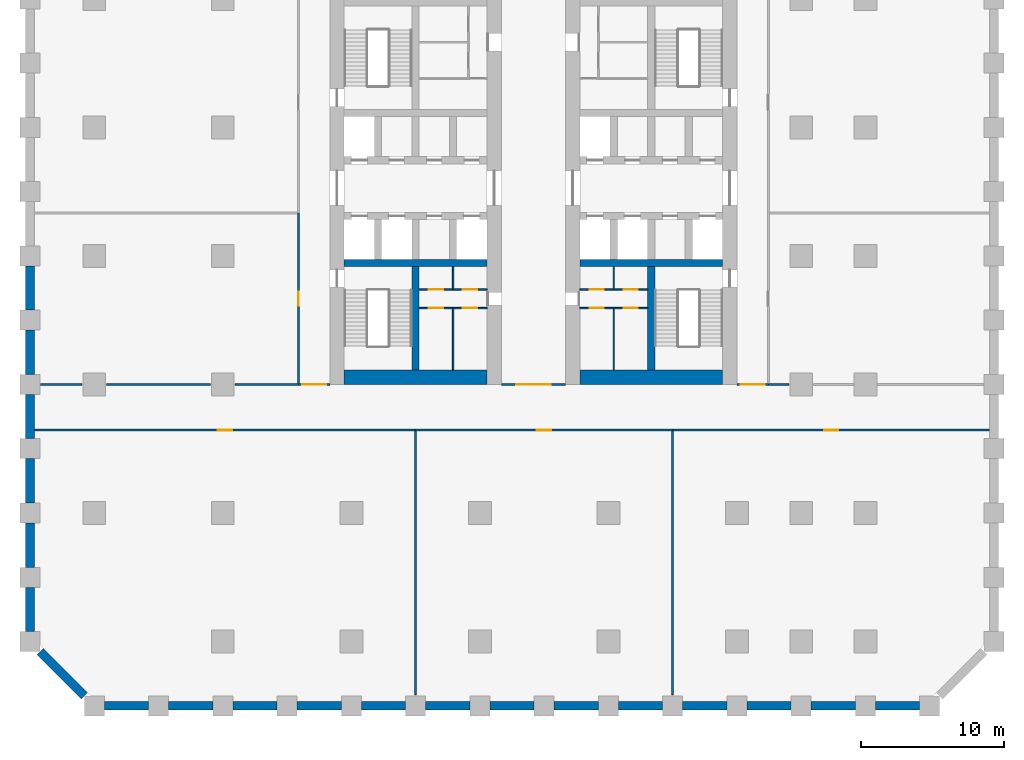
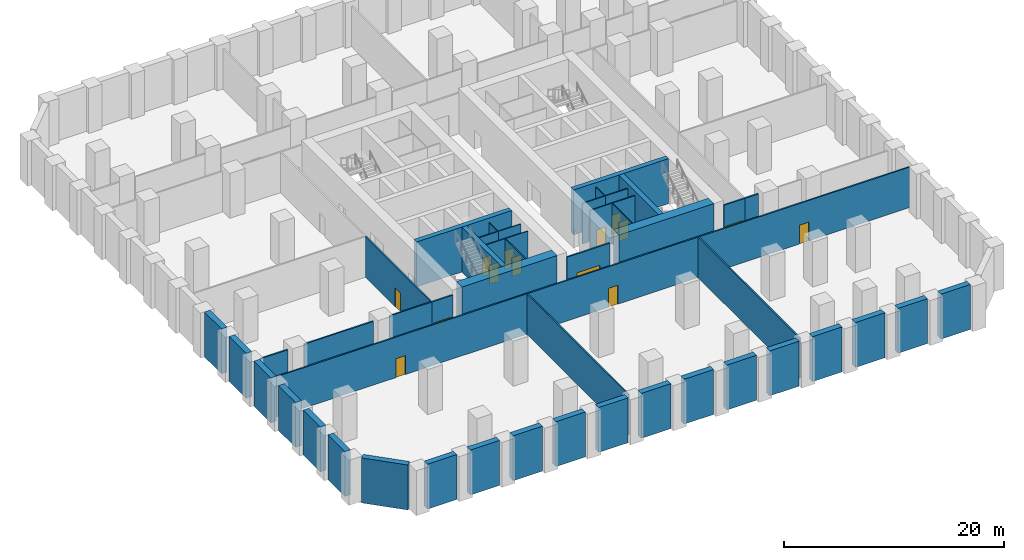
# One storey, part 2 of 7: 51 walls, 15 doors, 15 openings.
"""IFC4 building model written with IfcOpenShell, lengths in metres."""

from ifc_helpers import new_model, si_unit, direction, frame, frame_2d, origin, place, context, subcontext, project, spatial, rectangle, extrude, material, layer, layer_set, type_object, element, fill, save


model = new_model("IFC4")

# Units and contexts
model_context = context("Model", 3, precision=1e-05, world=origin(), true_north=direction((0.0, 1.0)))
body_context = subcontext(model_context, "Body", "Model", "MODEL_VIEW")
ifc_project = project(units=[si_unit("LENGTHUNIT", "METRE"), si_unit("AREAUNIT", "SQUARE_METRE"), si_unit("VOLUMEUNIT", "CUBIC_METRE"), si_unit("PLANEANGLEUNIT", "RADIAN"), si_unit("MASSUNIT", "GRAM", prefix="KILO")], contexts=[model_context])

# Site, building, storey
site_placement = place(None, origin())
site = spatial("IfcSite", under=ifc_project, at=site_placement, CompositionType="ELEMENT")
building_placement = place(site_placement, origin())
building = spatial("IfcBuilding", under=site, at=building_placement, Name="Corbel Stack Research Tower", CompositionType="ELEMENT")
storey_placement = place(building_placement, frame((0.0, 0.0, -5.0)))
storey = spatial("IfcBuildingStorey", under=building, at=storey_placement, Name="B1", CompositionType="ELEMENT", Elevation=-5.0)

# Walls
ifc_material_1 = material(Name="Concrete C45/55", Category="concrete")
ifc_layer_1 = layer(ifc_material_1, 0.60009765625)
ifc_layer_set_1 = layer_set([ifc_layer_1], Name="Concrete C45/55")
wall_type_1 = type_object("IfcWallType", Name="BW-600", PredefinedType="SOLIDWALL", material=ifc_layer_set_1)
for number, where, z_axis, x_axis, name in (
    (1, (-26.300048828125, -31.5, 0.0), (0.0, 0.0, 1.0), (1.0, 0.0, 0.0), "Basement wall B1"),
    (2, (-21.800048828125, -31.5, 0.0), (0.0, 0.0, 1.0), (1.0, 0.0, 0.0), "Basement wall B1"),
    (3, (-17.300048828125, -31.5, 0.0), (0.0, 0.0, 1.0), (1.0, 0.0, 0.0), "Basement wall B1"),
    (4, (-12.800048828125, -31.5, 0.0), (0.0, 0.0, 1.0), (1.0, 0.0, 0.0), "Basement wall B1"),
    (5, (-8.300048828125, -31.5, 0.0), (0.0, 0.0, 1.0), (1.0, 0.0, 0.0), "Basement wall B1"),
    (6, (-3.800048828125, -31.5, 0.0), (0.0, 0.0, 1.0), (1.0, 0.0, 0.0), "Basement wall B1"),
    (7, (0.699951171875, -31.5, 0.0), (0.0, 0.0, 1.0), (1.0, 0.0, 0.0), "Basement wall B1"),
    (8, (5.199951171875, -31.5, 0.0), (0.0, 0.0, 1.0), (1.0, 0.0, 0.0), "Basement wall B1"),
    (9, (9.699951171875, -31.5, 0.0), (0.0, 0.0, 1.0), (1.0, 0.0, 0.0), "Basement wall B1"),
    (10, (14.199951171875, -31.5, 0.0), (0.0, 0.0, 1.0), (1.0, 0.0, 0.0), "Basement wall B1"),
    (11, (18.699951171875, -31.5, 0.0), (0.0, 0.0, 1.0), (1.0, 0.0, 0.0), "Basement wall B1"),
    (12, (23.199951171875, -31.5, 0.0), (0.0, 0.0, 1.0), (1.0, 0.0, 0.0), "Basement wall B1"),
    (13, (27.699951171875, -31.5, 0.0), (0.0, 0.0, 1.0), (1.0, 0.0, 0.0), "Basement wall B1"),
    (14, (-31.5, -0.699951171875, 0.0), (0.0, 0.0, 1.0), (0.0, -1.0, 0.0), "Basement wall B1"),
    (15, (-31.5, -5.199951171875, 0.0), (0.0, 0.0, 1.0), (0.0, -1.0, 0.0), "Basement wall B1"),
    (16, (-31.5, -9.699951171875, 0.0), (0.0, 0.0, 1.0), (0.0, -1.0, 0.0), "Basement wall B1"),
    (17, (-31.5, -14.199951171875, 0.0), (0.0, 0.0, 1.0), (0.0, -1.0, 0.0), "Basement wall B1"),
    (18, (-31.5, -18.699951171875, 0.0), (0.0, 0.0, 1.0), (0.0, -1.0, 0.0), "Basement wall B1"),
    (19, (-31.5, -23.199951171875, 0.0), (0.0, 0.0, 1.0), (0.0, -1.0, 0.0), "Basement wall B1"),
):
    element("IfcWall", number, at=place(storey_placement, frame(where, z_axis=z_axis, x_axis=x_axis)), inside=storey, type_object=wall_type_1, Name=name, PredefinedType="SOLIDWALL", context=body_context, shape_type="SweptSolid", body=[
        extrude(rectangle(XDim=3.10009765625, YDim=0.60009765625, at=frame_2d((1.550048828125, 0.0))), origin(), (0.0, 0.0, 1.0), 5.0),
    ])
wall_1_placement = place(storey_placement, frame((-30.800048828125, -27.699951171875, 0.0), z_axis=(0.0, 0.0, 1.0), x_axis=(0.707106781187, -0.707106781187, 0.0)))
element("IfcWall", 20, at=wall_1_placement, inside=storey, type_object=wall_type_1, Name="Basement wall B1", PredefinedType="SOLIDWALL", context=body_context, shape_type="SweptSolid", body=[
    extrude(rectangle(XDim=4.38427734375, YDim=0.60009765625, at=frame_2d((2.192138671875, 0.0))), origin(), (0.0, 0.0, 1.0), 5.0),
])

# Wall, opening, door
ifc_material_2 = material(Name="Concrete block", Category="concrete")
ifc_layer_2 = layer(ifc_material_2, 0.14990234375)
ifc_layer_set_2 = layer_set([ifc_layer_2], Name="Concrete block")
wall_type_2 = type_object("IfcWallType", Name="Base partition 150 B1", PredefinedType="PARTITIONING", material=ifc_layer_set_2)
wall_2_placement = place(storey_placement, frame((-12.699951171875, -9.0, 0.0), z_axis=(0.0, 0.0, 1.0), x_axis=(1.0, 0.0, 0.0)))
wall_2 = element("IfcWall", 21, at=wall_2_placement, inside=storey, type_object=wall_type_2, Name="Partition B1", PredefinedType="PARTITIONING", context=body_context, shape_type="SweptSolid", body=[
    extrude(rectangle(XDim=2.199951171875, YDim=0.14990234375, at=frame_2d((1.10009765625, 0.0))), origin(), (0.0, 0.0, 1.0), 4.5),
])
opening_1_placement = place(wall_2_placement, frame((0.25, 0.0, 0.0)))
opening_1 = element("IfcOpeningElement", 22, at=opening_1_placement, cuts=wall_2, Name="Opening BD-B1-12", PredefinedType="OPENING", context=body_context, shape_type="SweptSolid", body=[
    extrude(rectangle(XDim=1.699951171875, YDim=2.10009765625, at=frame_2d((0.85009765625, 1.050048828125))), frame((0.0, 0.0849609375, 0.0), z_axis=(0.0, -1.0, 0.0), x_axis=(1.0, 0.0, 0.0)), (0.0, 0.0, 1.0), 0.169921875),
])
ifc_material_3 = material(Name="Painted steel fire door", Category="steel")
door_type_1 = type_object("IfcDoorType", Name="Lobby door pair 1700 x 2100 FD30S", OperationType="DOUBLE_DOOR_DOUBLE_SWING", PredefinedType="DOOR", material=ifc_material_3)
door_1_placement = place(opening_1_placement, origin())
door_1 = element("IfcDoor", 23, at=door_1_placement, inside=storey, type_object=door_type_1, Name="Stair vestibule west to Plant corridor south opening", OperationType="DOUBLE_DOOR_DOUBLE_SWING", OverallHeight=2.10009765625, OverallWidth=1.699951171875, PredefinedType="DOOR", context=body_context, shape_type="SweptSolid", body=[
    extrude(rectangle(XDim=1.699951171875, YDim=2.10009765625, at=frame_2d((0.85009765625, 1.050048828125))), frame((0.0, 0.02490234375, 0.0), z_axis=(0.0, -1.0, 0.0), x_axis=(1.0, 0.0, 0.0)), (0.0, 0.0, 1.0), 0.050048828125),
])
fill(opening_1, door_1)

wall_3_placement = place(storey_placement, frame((-12.699951171875, -9.0, 0.0), z_axis=(0.0, 0.0, 1.0), x_axis=(0.0, 1.0, 0.0)))
wall_3 = element("IfcWall", 24, at=wall_3_placement, inside=storey, type_object=wall_type_2, Name="Partition B1", PredefinedType="PARTITIONING", context=body_context, shape_type="SweptSolid", body=[
    extrude(rectangle(XDim=12.0, YDim=0.14990234375, at=frame_2d((6.0, 0.0))), origin(), (0.0, 0.0, 1.0), 4.5),
])
opening_2_placement = place(wall_3_placement, frame((5.5, 0.0, 0.0)))
opening_2 = element("IfcOpeningElement", 25, at=opening_2_placement, cuts=wall_3, Name="Opening BD-B1-04", PredefinedType="OPENING", context=body_context, shape_type="SweptSolid", body=[
    extrude(rectangle(XDim=1.0, YDim=2.10009765625, at=frame_2d((0.5, 1.050048828125))), frame((0.0, 0.0849609375, 0.0), z_axis=(0.0, -1.0, 0.0), x_axis=(1.0, 0.0, 0.0)), (0.0, 0.0, 1.0), 0.169921875),
])
ifc_material_4 = material(Name="Painted timber door", Category="wood")
door_type_2 = type_object("IfcDoorType", Name="WC door 1000 x 2100 right hand", OperationType="SINGLE_SWING_RIGHT", PredefinedType="DOOR", material=ifc_material_4)
door_2_placement = place(opening_2_placement, origin())
door_2 = element("IfcDoor", 26, at=door_2_placement, inside=storey, type_object=door_type_2, Name="Lockers and changing rooms door", OperationType="SINGLE_SWING_RIGHT", OverallHeight=2.10009765625, OverallWidth=1.0, PredefinedType="DOOR", context=body_context, shape_type="SweptSolid", body=[
    extrude(rectangle(XDim=1.0, YDim=2.10009765625, at=frame_2d((0.5, 1.050048828125))), frame((0.0, 0.02490234375, 0.0), z_axis=(0.0, -1.0, 0.0), x_axis=(1.0, 0.0, 0.0)), (0.0, 0.0, 1.0), 0.050048828125),
])
fill(opening_2, door_2)

wall_4_placement = place(storey_placement, frame((18.0, -9.0, 0.0), z_axis=(0.0, 0.0, 1.0), x_axis=(1.0, 0.0, 0.0)))
wall_4 = element("IfcWall", 27, at=wall_4_placement, inside=storey, type_object=wall_type_2, Name="Partition B1", PredefinedType="PARTITIONING", context=body_context, shape_type="SweptSolid", body=[
    extrude(rectangle(XDim=2.199951171875, YDim=0.14990234375, at=frame_2d((1.10009765625, 0.0))), origin(), (0.0, 0.0, 1.0), 4.5),
])
opening_3_placement = place(wall_4_placement, frame((0.25, 0.0, 0.0)))
opening_3 = element("IfcOpeningElement", 28, at=opening_3_placement, cuts=wall_4, Name="Opening BD-B1-14", PredefinedType="OPENING", context=body_context, shape_type="SweptSolid", body=[
    extrude(rectangle(XDim=1.699951171875, YDim=2.10009765625, at=frame_2d((0.85009765625, 1.050048828125))), frame((0.0, 0.0849609375, 0.0), z_axis=(0.0, -1.0, 0.0), x_axis=(1.0, 0.0, 0.0)), (0.0, 0.0, 1.0), 0.169921875),
])
door_3_placement = place(opening_3_placement, origin())
door_3 = element("IfcDoor", 29, at=door_3_placement, inside=storey, type_object=door_type_1, Name="Stair vestibule east to Plant corridor south opening", OperationType="DOUBLE_DOOR_DOUBLE_SWING", OverallHeight=2.10009765625, OverallWidth=1.699951171875, PredefinedType="DOOR", context=body_context, shape_type="SweptSolid", body=[
    extrude(rectangle(XDim=1.699951171875, YDim=2.10009765625, at=frame_2d((0.85009765625, 1.050048828125))), frame((0.0, 0.02490234375, 0.0), z_axis=(0.0, -1.0, 0.0), x_axis=(1.0, 0.0, 0.0)), (0.0, 0.0, 1.0), 0.050048828125),
])
fill(opening_3, door_3)

wall_5_placement = place(storey_placement, frame((1.5, -9.0, 0.0), z_axis=(0.0, 0.0, 1.0), x_axis=(1.0, 0.0, 0.0)))
wall_5 = element("IfcWall", 30, at=wall_5_placement, inside=storey, type_object=wall_type_2, Name="Partition B1", PredefinedType="PARTITIONING", context=body_context, shape_type="SweptSolid", body=[
    extrude(rectangle(XDim=4.5, YDim=0.14990234375, at=frame_2d((2.25, 0.0))), origin(), (0.0, 0.0, 1.0), 4.5),
])
opening_4_placement = place(wall_5_placement, frame((1.050048828125, 0.0, 0.0)))
opening_4 = element("IfcOpeningElement", 31, at=opening_4_placement, cuts=wall_5, Name="Opening BD-B1-16", PredefinedType="OPENING", context=body_context, shape_type="SweptSolid", body=[
    extrude(rectangle(XDim=2.39990234375, YDim=2.39990234375, at=frame_2d((1.199951171875, 1.199951171875))), frame((0.0, 0.0849609375, 0.0), z_axis=(0.0, -1.0, 0.0), x_axis=(1.0, 0.0, 0.0)), (0.0, 0.0, 1.0), 0.169921875),
])
ifc_material_5 = material(Name="Painted steel fire door", Category="steel")
door_type_3 = type_object("IfcDoorType", Name="Lobby door pair 2400 x 2400 FD30S", OperationType="DOUBLE_DOOR_DOUBLE_SWING", PredefinedType="DOOR", material=ifc_material_5)
door_4_placement = place(opening_4_placement, origin())
door_4 = element("IfcDoor", 32, at=door_4_placement, inside=storey, type_object=door_type_3, Name="Central circulation to Plant corridor south opening", OperationType="DOUBLE_DOOR_DOUBLE_SWING", OverallHeight=2.39990234375, OverallWidth=2.39990234375, PredefinedType="DOOR", context=body_context, shape_type="SweptSolid", body=[
    extrude(rectangle(XDim=2.39990234375, YDim=2.39990234375, at=frame_2d((1.199951171875, 1.199951171875))), frame((0.0, 0.02490234375, 0.0), z_axis=(0.0, -1.0, 0.0), x_axis=(1.0, 0.0, 0.0)), (0.0, 0.0, 1.0), 0.050048828125),
])
fill(opening_4, door_4)

wall_6_placement = place(storey_placement, frame((-31.199951171875, -12.199951171875, 0.0), z_axis=(0.0, 0.0, 1.0), x_axis=(1.0, 0.0, 0.0)))
wall_6 = element("IfcWall", 33, at=wall_6_placement, inside=storey, type_object=wall_type_2, Name="Partition B1", PredefinedType="PARTITIONING", context=body_context, shape_type="SweptSolid", body=[
    extrude(rectangle(XDim=26.699951171875, YDim=0.14990234375, at=frame_2d((13.35009765625, 0.0))), origin(), (0.0, 0.0, 1.0), 4.5),
])
opening_5_placement = place(wall_6_placement, frame((12.85009765625, 0.0, 0.0)))
opening_5 = element("IfcOpeningElement", 34, at=opening_5_placement, cuts=wall_6, Name="Opening BD-B1-01", PredefinedType="OPENING", context=body_context, shape_type="SweptSolid", body=[
    extrude(rectangle(XDim=1.0, YDim=2.10009765625, at=frame_2d((0.5, 1.050048828125))), frame((0.0, 0.0849609375, 0.0), z_axis=(0.0, -1.0, 0.0), x_axis=(1.0, 0.0, 0.0)), (0.0, 0.0, 1.0), 0.169921875),
])
ifc_material_6 = material(Name="Painted steel door", Category="steel")
door_type_4 = type_object("IfcDoorType", Name="Riser door 1000 x 2100 FD60 left hand", OperationType="SINGLE_SWING_LEFT", PredefinedType="DOOR", material=ifc_material_6)
door_5_placement = place(opening_5_placement, origin())
door_5 = element("IfcDoor", 35, at=door_5_placement, inside=storey, type_object=door_type_4, Name="Chiller plant door", OperationType="SINGLE_SWING_LEFT", OverallHeight=2.10009765625, OverallWidth=1.0, PredefinedType="DOOR", context=body_context, shape_type="SweptSolid", body=[
    extrude(rectangle(XDim=1.0, YDim=2.10009765625, at=frame_2d((0.5, 1.050048828125))), frame((0.0, 0.02490234375, 0.0), z_axis=(0.0, -1.0, 0.0), x_axis=(1.0, 0.0, 0.0)), (0.0, 0.0, 1.0), 0.050048828125),
])
fill(opening_5, door_5)

wall_7_placement = place(storey_placement, frame((-4.5, -12.199951171875, 0.0), z_axis=(0.0, 0.0, 1.0), x_axis=(1.0, 0.0, 0.0)))
wall_7 = element("IfcWall", 36, at=wall_7_placement, inside=storey, type_object=wall_type_2, Name="Partition B1", PredefinedType="PARTITIONING", context=body_context, shape_type="SweptSolid", body=[
    extrude(rectangle(XDim=18.0, YDim=0.14990234375, at=frame_2d((9.0, 0.0))), origin(), (0.0, 0.0, 1.0), 4.5),
])
opening_6_placement = place(wall_7_placement, frame((8.5, 0.0, 0.0)))
opening_6 = element("IfcOpeningElement", 37, at=opening_6_placement, cuts=wall_7, Name="Opening BD-B1-02", PredefinedType="OPENING", context=body_context, shape_type="SweptSolid", body=[
    extrude(rectangle(XDim=1.0, YDim=2.10009765625, at=frame_2d((0.5, 1.050048828125))), frame((0.0, 0.0849609375, 0.0), z_axis=(0.0, -1.0, 0.0), x_axis=(1.0, 0.0, 0.0)), (0.0, 0.0, 1.0), 0.169921875),
])
ifc_material_7 = material(Name="Painted steel door", Category="steel")
door_type_5 = type_object("IfcDoorType", Name="Riser door 1000 x 2100 FD60 right hand", OperationType="SINGLE_SWING_RIGHT", PredefinedType="DOOR", material=ifc_material_7)
door_6_placement = place(opening_6_placement, origin())
door_6 = element("IfcDoor", 38, at=door_6_placement, inside=storey, type_object=door_type_5, Name="Boiler plant door", OperationType="SINGLE_SWING_RIGHT", OverallHeight=2.10009765625, OverallWidth=1.0, PredefinedType="DOOR", context=body_context, shape_type="SweptSolid", body=[
    extrude(rectangle(XDim=1.0, YDim=2.10009765625, at=frame_2d((0.5, 1.050048828125))), frame((0.0, 0.02490234375, 0.0), z_axis=(0.0, -1.0, 0.0), x_axis=(1.0, 0.0, 0.0)), (0.0, 0.0, 1.0), 0.050048828125),
])
fill(opening_6, door_6)

wall_8_placement = place(storey_placement, frame((13.5, -12.199951171875, 0.0), z_axis=(0.0, 0.0, 1.0), x_axis=(1.0, 0.0, 0.0)))
wall_8 = element("IfcWall", 39, at=wall_8_placement, inside=storey, type_object=wall_type_2, Name="Partition B1", PredefinedType="PARTITIONING", context=body_context, shape_type="SweptSolid", body=[
    extrude(rectangle(XDim=22.199951171875, YDim=0.14990234375, at=frame_2d((11.10009765625, 0.0))), origin(), (0.0, 0.0, 1.0), 4.5),
])
opening_7_placement = place(wall_8_placement, frame((10.60009765625, 0.0, 0.0)))
opening_7 = element("IfcOpeningElement", 40, at=opening_7_placement, cuts=wall_8, Name="Opening BD-B1-03", PredefinedType="OPENING", context=body_context, shape_type="SweptSolid", body=[
    extrude(rectangle(XDim=1.0, YDim=2.10009765625, at=frame_2d((0.5, 1.050048828125))), frame((0.0, 0.0849609375, 0.0), z_axis=(0.0, -1.0, 0.0), x_axis=(1.0, 0.0, 0.0)), (0.0, 0.0, 1.0), 0.169921875),
])
door_7_placement = place(opening_7_placement, origin())
door_7 = element("IfcDoor", 41, at=door_7_placement, inside=storey, type_object=door_type_4, Name="Pump room door", OperationType="SINGLE_SWING_LEFT", OverallHeight=2.10009765625, OverallWidth=1.0, PredefinedType="DOOR", context=body_context, shape_type="SweptSolid", body=[
    extrude(rectangle(XDim=1.0, YDim=2.10009765625, at=frame_2d((0.5, 1.050048828125))), frame((0.0, 0.02490234375, 0.0), z_axis=(0.0, -1.0, 0.0), x_axis=(1.0, 0.0, 0.0)), (0.0, 0.0, 1.0), 0.050048828125),
])
fill(opening_7, door_7)

# Walls
wall_9_placement = place(storey_placement, frame((-17.14990234375, -9.0, 0.0), z_axis=(0.0, 0.0, 1.0), x_axis=(1.0, 0.0, 0.0)))
element("IfcWall", 42, at=wall_9_placement, inside=storey, type_object=wall_type_2, Name="Partition B1", PredefinedType="PARTITIONING", context=body_context, shape_type="SweptSolid", body=[
    extrude(rectangle(XDim=4.449951171875, YDim=0.14990234375, at=frame_2d((2.22509765625, 0.0))), origin(), (0.0, 0.0, 1.0), 4.5),
])
wall_10_placement = place(storey_placement, frame((-26.14990234375, -9.0, 0.0), z_axis=(0.0, 0.0, 1.0), x_axis=(1.0, 0.0, 0.0)))
element("IfcWall", 43, at=wall_10_placement, inside=storey, type_object=wall_type_2, Name="Partition B1", PredefinedType="PARTITIONING", context=body_context, shape_type="SweptSolid", body=[
    extrude(rectangle(XDim=7.2998046875, YDim=0.14990234375, at=frame_2d((3.64990234375, 0.0))), origin(), (0.0, 0.0, 1.0), 4.5),
])
wall_11_placement = place(storey_placement, frame((-30.75, -9.0, 0.0), z_axis=(0.0, 0.0, 1.0), x_axis=(1.0, 0.0, 0.0)))
element("IfcWall", 44, at=wall_11_placement, inside=storey, type_object=wall_type_2, Name="Partition B1", PredefinedType="PARTITIONING", context=body_context, shape_type="SweptSolid", body=[
    extrude(rectangle(XDim=2.89990234375, YDim=0.14990234375, at=frame_2d((1.449951171875, 0.0))), origin(), (0.0, 0.0, 1.0), 4.5),
])
wall_12_placement = place(storey_placement, frame((20.199951171875, -9.0, 0.0), z_axis=(0.0, 0.0, 1.0), x_axis=(1.0, 0.0, 0.0)))
element("IfcWall", 45, at=wall_12_placement, inside=storey, type_object=wall_type_2, Name="Partition B1", PredefinedType="PARTITIONING", context=body_context, shape_type="SweptSolid", body=[
    extrude(rectangle(XDim=1.449951171875, YDim=0.14990234375, at=frame_2d((0.72509765625, 0.0))), origin(), (0.0, 0.0, 1.0), 4.5),
])
for number, where, z_axis, x_axis, name in (
    (46, (-4.5, -30.75, 0.0), (0.0, 0.0, 1.0), (0.0, 1.0, 0.0), "Partition B1"),
    (47, (13.5, -30.75, 0.0), (0.0, 0.0, 1.0), (0.0, 1.0, 0.0), "Partition B1"),
):
    element("IfcWall", number, at=place(storey_placement, frame(where, z_axis=z_axis, x_axis=x_axis)), inside=storey, type_object=wall_type_2, Name=name, PredefinedType="PARTITIONING", context=body_context, shape_type="SweptSolid", body=[
        extrude(rectangle(XDim=18.550048828125, YDim=0.14990234375, at=frame_2d((9.27490234375, 0.0))), origin(), (0.0, 0.0, 1.0), 4.5),
    ])
ifc_material_8 = material(Name="Concrete C70/85", Category="concrete")
ifc_layer_3 = layer(ifc_material_8, 1.0)
ifc_layer_set_3 = layer_set([ifc_layer_3], Name="Concrete C70/85")
wall_type_3 = type_object("IfcWallType", Name="CW-1000-70", PredefinedType="SHEAR", material=ifc_layer_set_3)
for number, where, z_axis, x_axis, name in (
    (48, (-9.5, -8.5, 0.0), (0.0, 0.0, 1.0), (1.0, 0.0, 0.0), "West core wall, south end B1"),
    (49, (7.0, -8.5, 0.0), (0.0, 0.0, 1.0), (1.0, 0.0, 0.0), "East core wall, south end B1"),
):
    element("IfcWall", number, at=place(storey_placement, frame(where, z_axis=z_axis, x_axis=x_axis)), inside=storey, type_object=wall_type_3, Name=name, PredefinedType="SHEAR", context=body_context, shape_type="SweptSolid", body=[
        extrude(rectangle(XDim=10.0, YDim=1.0, at=frame_2d((5.0, 0.0))), origin(), (0.0, 0.0, 1.0), 5.0),
    ])
ifc_material_9 = material(Name="Concrete C70/85", Category="concrete")
ifc_layer_4 = layer(ifc_material_9, 0.5)
ifc_layer_set_4 = layer_set([ifc_layer_4], Name="Concrete C70/85")
wall_type_4 = type_object("IfcWallType", Name="CW-500-70", PredefinedType="SHEAR", material=ifc_layer_set_4)
wall_13_placement = place(storey_placement, frame((-9.5, -0.5, 0.0), z_axis=(0.0, 0.0, 1.0), x_axis=(1.0, 0.0, 0.0)))
element("IfcWall", 50, at=wall_13_placement, inside=storey, type_object=wall_type_4, Name="West core wall, south row back B1", PredefinedType="SHEAR", context=body_context, shape_type="SweptSolid", body=[
    extrude(rectangle(XDim=10.0, YDim=0.5, at=frame_2d((5.0, 0.0))), origin(), (0.0, 0.0, 1.0), 5.0),
])
wall_14_placement = place(storey_placement, frame((-4.5, -8.0, 0.0), z_axis=(0.0, 0.0, 1.0), x_axis=(0.0, 1.0, 0.0)))
element("IfcWall", 51, at=wall_14_placement, inside=storey, type_object=wall_type_4, Name="West core wall, south stair and WC B1", PredefinedType="SHEAR", context=body_context, shape_type="SweptSolid", body=[
    extrude(rectangle(XDim=7.25, YDim=0.5, at=frame_2d((3.625, 0.0))), origin(), (0.0, 0.0, 1.0), 5.0),
])
wall_15_placement = place(storey_placement, frame((7.0, -0.5, 0.0), z_axis=(0.0, 0.0, 1.0), x_axis=(1.0, 0.0, 0.0)))
element("IfcWall", 52, at=wall_15_placement, inside=storey, type_object=wall_type_4, Name="East core wall, south row back B1", PredefinedType="SHEAR", context=body_context, shape_type="SweptSolid", body=[
    extrude(rectangle(XDim=10.0, YDim=0.5, at=frame_2d((5.0, 0.0))), origin(), (0.0, 0.0, 1.0), 5.0),
])
wall_16_placement = place(storey_placement, frame((12.0, -8.0, 0.0), z_axis=(0.0, 0.0, 1.0), x_axis=(0.0, 1.0, 0.0)))
element("IfcWall", 53, at=wall_16_placement, inside=storey, type_object=wall_type_4, Name="East core wall, south stair and WC B1", PredefinedType="SHEAR", context=body_context, shape_type="SweptSolid", body=[
    extrude(rectangle(XDim=7.25, YDim=0.5, at=frame_2d((3.625, 0.0))), origin(), (0.0, 0.0, 1.0), 5.0),
])

# Wall, opening, door
ifc_material_10 = material(Name="Gypsum board")
ifc_layer_5 = layer(ifc_material_10, 0.10009765625)
ifc_layer_set_5 = layer_set([ifc_layer_5], Name="Gypsum board")
wall_type_5 = type_object("IfcWallType", Name="Core partition 100", PredefinedType="PARTITIONING", material=ifc_layer_set_5)
wall_17_placement = place(storey_placement, frame((-1.875, -3.64990234375, 0.0), z_axis=(0.0, 0.0, 1.0), x_axis=(1.0, 0.0, 0.0)))
wall_17 = element("IfcWall", 54, at=wall_17_placement, inside=storey, type_object=wall_type_5, Name="Core partition W", PredefinedType="PARTITIONING", context=body_context, shape_type="SweptSolid", body=[
    extrude(rectangle(XDim=2.375, YDim=0.10009765625, at=frame_2d((1.1875, 0.0))), origin(), (0.0, 0.0, 1.0), 4.5),
])
opening_8_placement = place(wall_17_placement, frame((0.6875, 0.0, 0.0)))
opening_8 = element("IfcOpeningElement", 55, at=opening_8_placement, cuts=wall_17, Name="Opening CR-W54-W2-1000", PredefinedType="OPENING", context=body_context, shape_type="SweptSolid", body=[
    extrude(rectangle(XDim=1.0, YDim=2.10009765625, at=frame_2d((0.5, 1.050048828125))), frame((0.0, 0.06005859375, 0.0), z_axis=(0.0, -1.0, 0.0), x_axis=(1.0, 0.0, 0.0)), (0.0, 0.0, 1.0), 0.1201171875),
])
door_8_placement = place(opening_8_placement, origin())
door_8 = element("IfcDoor", 56, at=door_8_placement, inside=storey, type_object=door_type_2, Name="Women's WC door W core", OperationType="SINGLE_SWING_RIGHT", OverallHeight=2.10009765625, OverallWidth=1.0, PredefinedType="DOOR", context=body_context, shape_type="SweptSolid", body=[
    extrude(rectangle(XDim=1.0, YDim=2.10009765625, at=frame_2d((0.5, 1.050048828125))), frame((0.0, 0.02490234375, 0.0), z_axis=(0.0, -1.0, 0.0), x_axis=(1.0, 0.0, 0.0)), (0.0, 0.0, 1.0), 0.050048828125),
])
fill(opening_8, door_8)

wall_18_placement = place(storey_placement, frame((-4.25, -3.64990234375, 0.0), z_axis=(0.0, 0.0, 1.0), x_axis=(1.0, 0.0, 0.0)))
wall_18 = element("IfcWall", 57, at=wall_18_placement, inside=storey, type_object=wall_type_5, Name="Core partition W", PredefinedType="PARTITIONING", context=body_context, shape_type="SweptSolid", body=[
    extrude(rectangle(XDim=2.375, YDim=0.10009765625, at=frame_2d((1.1875, 0.0))), origin(), (0.0, 0.0, 1.0), 4.5),
])
opening_9_placement = place(wall_18_placement, frame((0.6875, 0.0, 0.0)))
opening_9 = element("IfcOpeningElement", 58, at=opening_9_placement, cuts=wall_18, Name="Opening CR-W54-W3-1000", PredefinedType="OPENING", context=body_context, shape_type="SweptSolid", body=[
    extrude(rectangle(XDim=1.0, YDim=2.10009765625, at=frame_2d((0.5, 1.050048828125))), frame((0.0, 0.06005859375, 0.0), z_axis=(0.0, -1.0, 0.0), x_axis=(1.0, 0.0, 0.0)), (0.0, 0.0, 1.0), 0.1201171875),
])
ifc_material_11 = material(Name="Painted timber door", Category="wood")
door_type_6 = type_object("IfcDoorType", Name="WC door 1000 x 2100 left hand", OperationType="SINGLE_SWING_LEFT", PredefinedType="DOOR", material=ifc_material_11)
door_9_placement = place(opening_9_placement, origin())
door_9 = element("IfcDoor", 59, at=door_9_placement, inside=storey, type_object=door_type_6, Name="Men's WC door W core", OperationType="SINGLE_SWING_LEFT", OverallHeight=2.10009765625, OverallWidth=1.0, PredefinedType="DOOR", context=body_context, shape_type="SweptSolid", body=[
    extrude(rectangle(XDim=1.0, YDim=2.10009765625, at=frame_2d((0.5, 1.050048828125))), frame((0.0, 0.02490234375, 0.0), z_axis=(0.0, -1.0, 0.0), x_axis=(1.0, 0.0, 0.0)), (0.0, 0.0, 1.0), 0.050048828125),
])
fill(opening_9, door_9)

wall_19_placement = place(storey_placement, frame((-1.875, -2.344970703125, 0.0), z_axis=(0.0, 0.0, 1.0), x_axis=(1.0, 0.0, 0.0)))
wall_19 = element("IfcWall", 60, at=wall_19_placement, inside=storey, type_object=wall_type_5, Name="Core partition W", PredefinedType="PARTITIONING", context=body_context, shape_type="SweptSolid", body=[
    extrude(rectangle(XDim=2.375, YDim=0.10009765625, at=frame_2d((1.1875, 0.0))), origin(), (0.0, 0.0, 1.0), 4.5),
])
opening_10_placement = place(wall_19_placement, frame((0.6875, 0.0, 0.0)))
opening_10 = element("IfcOpeningElement", 61, at=opening_10_placement, cuts=wall_19, Name="Opening CR-W54-W4-1000", PredefinedType="OPENING", context=body_context, shape_type="SweptSolid", body=[
    extrude(rectangle(XDim=1.0, YDim=2.10009765625, at=frame_2d((0.5, 1.050048828125))), frame((0.0, 0.06005859375, 0.0), z_axis=(0.0, -1.0, 0.0), x_axis=(1.0, 0.0, 0.0)), (0.0, 0.0, 1.0), 0.1201171875),
])
door_10_placement = place(opening_10_placement, origin())
door_10 = element("IfcDoor", 62, at=door_10_placement, inside=storey, type_object=door_type_2, Name="Accessible WC door W core", OperationType="SINGLE_SWING_RIGHT", OverallHeight=2.10009765625, OverallWidth=1.0, PredefinedType="DOOR", context=body_context, shape_type="SweptSolid", body=[
    extrude(rectangle(XDim=1.0, YDim=2.10009765625, at=frame_2d((0.5, 1.050048828125))), frame((0.0, 0.02490234375, 0.0), z_axis=(0.0, -1.0, 0.0), x_axis=(1.0, 0.0, 0.0)), (0.0, 0.0, 1.0), 0.050048828125),
])
fill(opening_10, door_10)

wall_20_placement = place(storey_placement, frame((-4.25, -2.344970703125, 0.0), z_axis=(0.0, 0.0, 1.0), x_axis=(1.0, 0.0, 0.0)))
wall_20 = element("IfcWall", 63, at=wall_20_placement, inside=storey, type_object=wall_type_5, Name="Core partition W", PredefinedType="PARTITIONING", context=body_context, shape_type="SweptSolid", body=[
    extrude(rectangle(XDim=2.375, YDim=0.10009765625, at=frame_2d((1.1875, 0.0))), origin(), (0.0, 0.0, 1.0), 4.5),
])
opening_11_placement = place(wall_20_placement, frame((0.6875, 0.0, 0.0)))
opening_11 = element("IfcOpeningElement", 64, at=opening_11_placement, cuts=wall_20, Name="Opening CR-W54-W5-1000", PredefinedType="OPENING", context=body_context, shape_type="SweptSolid", body=[
    extrude(rectangle(XDim=1.0, YDim=2.10009765625, at=frame_2d((0.5, 1.050048828125))), frame((0.0, 0.06005859375, 0.0), z_axis=(0.0, -1.0, 0.0), x_axis=(1.0, 0.0, 0.0)), (0.0, 0.0, 1.0), 0.1201171875),
])
door_11_placement = place(opening_11_placement, origin())
door_11 = element("IfcDoor", 65, at=door_11_placement, inside=storey, type_object=door_type_6, Name="Shower and changing room door W core", OperationType="SINGLE_SWING_LEFT", OverallHeight=2.10009765625, OverallWidth=1.0, PredefinedType="DOOR", context=body_context, shape_type="SweptSolid", body=[
    extrude(rectangle(XDim=1.0, YDim=2.10009765625, at=frame_2d((0.5, 1.050048828125))), frame((0.0, 0.02490234375, 0.0), z_axis=(0.0, -1.0, 0.0), x_axis=(1.0, 0.0, 0.0)), (0.0, 0.0, 1.0), 0.050048828125),
])
fill(opening_11, door_11)

# Walls
wall_21_placement = place(storey_placement, frame((-1.875, -8.0, 0.0), z_axis=(0.0, 0.0, 1.0), x_axis=(0.0, 1.0, 0.0)))
element("IfcWall", 66, at=wall_21_placement, inside=storey, type_object=wall_type_5, Name="Core partition W", PredefinedType="PARTITIONING", context=body_context, shape_type="SweptSolid", body=[
    extrude(rectangle(XDim=4.35009765625, YDim=0.10009765625, at=frame_2d((2.175048828125, 0.0))), origin(), (0.0, 0.0, 1.0), 4.5),
])
wall_22_placement = place(storey_placement, frame((-1.875, -2.344970703125, 0.0), z_axis=(0.0, 0.0, 1.0), x_axis=(0.0, 1.0, 0.0)))
element("IfcWall", 67, at=wall_22_placement, inside=storey, type_object=wall_type_5, Name="Core partition W", PredefinedType="PARTITIONING", context=body_context, shape_type="SweptSolid", body=[
    extrude(rectangle(XDim=1.594970703125, YDim=0.10009765625, at=frame_2d((0.79736328125, 0.0))), origin(), (0.0, 0.0, 1.0), 4.5),
])

# Wall, opening, door
wall_23_placement = place(storey_placement, frame((7.0, -3.64990234375, 0.0), z_axis=(0.0, 0.0, 1.0), x_axis=(1.0, 0.0, 0.0)))
wall_23 = element("IfcWall", 68, at=wall_23_placement, inside=storey, type_object=wall_type_5, Name="Core partition E", PredefinedType="PARTITIONING", context=body_context, shape_type="SweptSolid", body=[
    extrude(rectangle(XDim=2.375, YDim=0.10009765625, at=frame_2d((1.1875, 0.0))), origin(), (0.0, 0.0, 1.0), 4.5),
])
opening_12_placement = place(wall_23_placement, frame((0.6875, 0.0, 0.0)))
opening_12 = element("IfcOpeningElement", 69, at=opening_12_placement, cuts=wall_23, Name="Opening CR-E54-W2-1000", PredefinedType="OPENING", context=body_context, shape_type="SweptSolid", body=[
    extrude(rectangle(XDim=1.0, YDim=2.10009765625, at=frame_2d((0.5, 1.050048828125))), frame((0.0, 0.06005859375, 0.0), z_axis=(0.0, -1.0, 0.0), x_axis=(1.0, 0.0, 0.0)), (0.0, 0.0, 1.0), 0.1201171875),
])
door_12_placement = place(opening_12_placement, origin())
door_12 = element("IfcDoor", 70, at=door_12_placement, inside=storey, type_object=door_type_6, Name="Women's WC door E core", OperationType="SINGLE_SWING_LEFT", OverallHeight=2.10009765625, OverallWidth=1.0, PredefinedType="DOOR", context=body_context, shape_type="SweptSolid", body=[
    extrude(rectangle(XDim=1.0, YDim=2.10009765625, at=frame_2d((0.5, 1.050048828125))), frame((0.0, 0.02490234375, 0.0), z_axis=(0.0, -1.0, 0.0), x_axis=(1.0, 0.0, 0.0)), (0.0, 0.0, 1.0), 0.050048828125),
])
fill(opening_12, door_12)

wall_24_placement = place(storey_placement, frame((9.375, -3.64990234375, 0.0), z_axis=(0.0, 0.0, 1.0), x_axis=(1.0, 0.0, 0.0)))
wall_24 = element("IfcWall", 71, at=wall_24_placement, inside=storey, type_object=wall_type_5, Name="Core partition E", PredefinedType="PARTITIONING", context=body_context, shape_type="SweptSolid", body=[
    extrude(rectangle(XDim=2.375, YDim=0.10009765625, at=frame_2d((1.1875, 0.0))), origin(), (0.0, 0.0, 1.0), 4.5),
])
opening_13_placement = place(wall_24_placement, frame((0.6875, 0.0, 0.0)))
opening_13 = element("IfcOpeningElement", 72, at=opening_13_placement, cuts=wall_24, Name="Opening CR-E54-W3-1000", PredefinedType="OPENING", context=body_context, shape_type="SweptSolid", body=[
    extrude(rectangle(XDim=1.0, YDim=2.10009765625, at=frame_2d((0.5, 1.050048828125))), frame((0.0, 0.06005859375, 0.0), z_axis=(0.0, -1.0, 0.0), x_axis=(1.0, 0.0, 0.0)), (0.0, 0.0, 1.0), 0.1201171875),
])
door_13_placement = place(opening_13_placement, origin())
door_13 = element("IfcDoor", 73, at=door_13_placement, inside=storey, type_object=door_type_2, Name="Men's WC door E core", OperationType="SINGLE_SWING_RIGHT", OverallHeight=2.10009765625, OverallWidth=1.0, PredefinedType="DOOR", context=body_context, shape_type="SweptSolid", body=[
    extrude(rectangle(XDim=1.0, YDim=2.10009765625, at=frame_2d((0.5, 1.050048828125))), frame((0.0, 0.02490234375, 0.0), z_axis=(0.0, -1.0, 0.0), x_axis=(1.0, 0.0, 0.0)), (0.0, 0.0, 1.0), 0.050048828125),
])
fill(opening_13, door_13)

wall_25_placement = place(storey_placement, frame((7.0, -2.344970703125, 0.0), z_axis=(0.0, 0.0, 1.0), x_axis=(1.0, 0.0, 0.0)))
wall_25 = element("IfcWall", 74, at=wall_25_placement, inside=storey, type_object=wall_type_5, Name="Core partition E", PredefinedType="PARTITIONING", context=body_context, shape_type="SweptSolid", body=[
    extrude(rectangle(XDim=2.375, YDim=0.10009765625, at=frame_2d((1.1875, 0.0))), origin(), (0.0, 0.0, 1.0), 4.5),
])
opening_14_placement = place(wall_25_placement, frame((0.6875, 0.0, 0.0)))
opening_14 = element("IfcOpeningElement", 75, at=opening_14_placement, cuts=wall_25, Name="Opening CR-E54-W4-1000", PredefinedType="OPENING", context=body_context, shape_type="SweptSolid", body=[
    extrude(rectangle(XDim=1.0, YDim=2.10009765625, at=frame_2d((0.5, 1.050048828125))), frame((0.0, 0.06005859375, 0.0), z_axis=(0.0, -1.0, 0.0), x_axis=(1.0, 0.0, 0.0)), (0.0, 0.0, 1.0), 0.1201171875),
])
door_14_placement = place(opening_14_placement, origin())
door_14 = element("IfcDoor", 76, at=door_14_placement, inside=storey, type_object=door_type_6, Name="Accessible WC door E core", OperationType="SINGLE_SWING_LEFT", OverallHeight=2.10009765625, OverallWidth=1.0, PredefinedType="DOOR", context=body_context, shape_type="SweptSolid", body=[
    extrude(rectangle(XDim=1.0, YDim=2.10009765625, at=frame_2d((0.5, 1.050048828125))), frame((0.0, 0.02490234375, 0.0), z_axis=(0.0, -1.0, 0.0), x_axis=(1.0, 0.0, 0.0)), (0.0, 0.0, 1.0), 0.050048828125),
])
fill(opening_14, door_14)

wall_26_placement = place(storey_placement, frame((9.375, -2.344970703125, 0.0), z_axis=(0.0, 0.0, 1.0), x_axis=(1.0, 0.0, 0.0)))
wall_26 = element("IfcWall", 77, at=wall_26_placement, inside=storey, type_object=wall_type_5, Name="Core partition E", PredefinedType="PARTITIONING", context=body_context, shape_type="SweptSolid", body=[
    extrude(rectangle(XDim=2.375, YDim=0.10009765625, at=frame_2d((1.1875, 0.0))), origin(), (0.0, 0.0, 1.0), 4.5),
])
opening_15_placement = place(wall_26_placement, frame((0.6875, 0.0, 0.0)))
opening_15 = element("IfcOpeningElement", 78, at=opening_15_placement, cuts=wall_26, Name="Opening CR-E54-W5-1000", PredefinedType="OPENING", context=body_context, shape_type="SweptSolid", body=[
    extrude(rectangle(XDim=1.0, YDim=2.10009765625, at=frame_2d((0.5, 1.050048828125))), frame((0.0, 0.06005859375, 0.0), z_axis=(0.0, -1.0, 0.0), x_axis=(1.0, 0.0, 0.0)), (0.0, 0.0, 1.0), 0.1201171875),
])
door_15_placement = place(opening_15_placement, origin())
door_15 = element("IfcDoor", 79, at=door_15_placement, inside=storey, type_object=door_type_2, Name="Shower and changing room door E core", OperationType="SINGLE_SWING_RIGHT", OverallHeight=2.10009765625, OverallWidth=1.0, PredefinedType="DOOR", context=body_context, shape_type="SweptSolid", body=[
    extrude(rectangle(XDim=1.0, YDim=2.10009765625, at=frame_2d((0.5, 1.050048828125))), frame((0.0, 0.02490234375, 0.0), z_axis=(0.0, -1.0, 0.0), x_axis=(1.0, 0.0, 0.0)), (0.0, 0.0, 1.0), 0.050048828125),
])
fill(opening_15, door_15)

# Walls
wall_27_placement = place(storey_placement, frame((9.375, -8.0, 0.0), z_axis=(0.0, 0.0, 1.0), x_axis=(0.0, 1.0, 0.0)))
element("IfcWall", 80, at=wall_27_placement, inside=storey, type_object=wall_type_5, Name="Core partition E", PredefinedType="PARTITIONING", context=body_context, shape_type="SweptSolid", body=[
    extrude(rectangle(XDim=4.35009765625, YDim=0.10009765625, at=frame_2d((2.175048828125, 0.0))), origin(), (0.0, 0.0, 1.0), 4.5),
])
wall_28_placement = place(storey_placement, frame((9.375, -2.344970703125, 0.0), z_axis=(0.0, 0.0, 1.0), x_axis=(0.0, 1.0, 0.0)))
element("IfcWall", 81, at=wall_28_placement, inside=storey, type_object=wall_type_5, Name="Core partition E", PredefinedType="PARTITIONING", context=body_context, shape_type="SweptSolid", body=[
    extrude(rectangle(XDim=1.594970703125, YDim=0.10009765625, at=frame_2d((0.79736328125, 0.0))), origin(), (0.0, 0.0, 1.0), 4.5),
])

save(model, "model.ifc")
